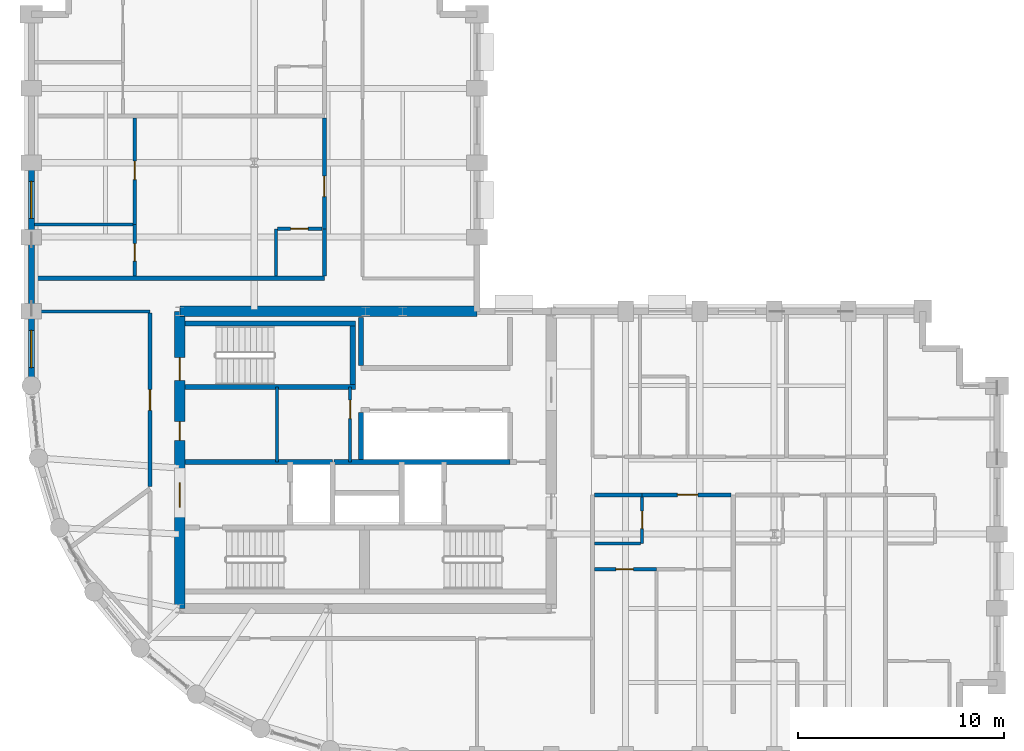
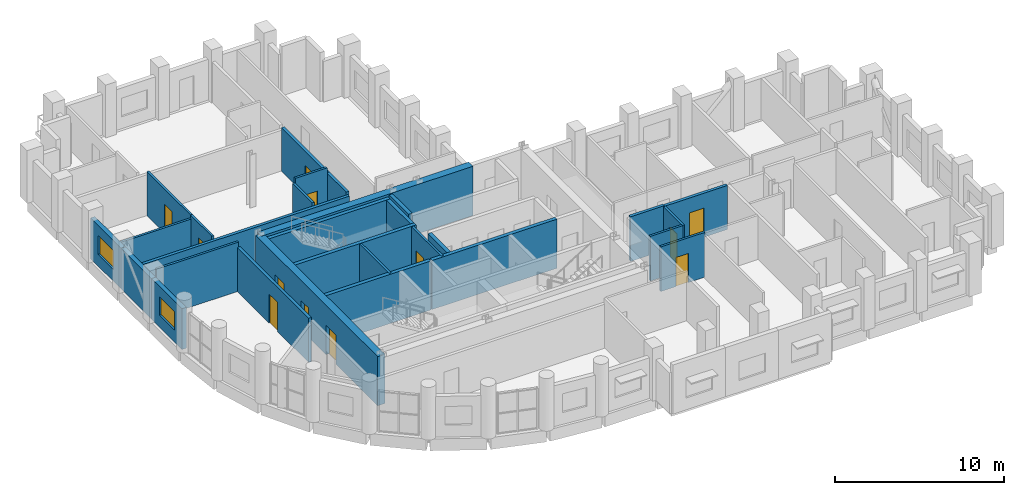
# One storey, part 8 of 14: 29 walls, 12 doors, 2 windows, 14 openings.
"""IFC4 building model written with IfcOpenShell, lengths in metres."""

from ifc_helpers import new_model, si_unit, direction, frame, frame_2d, origin, place, context, subcontext, project, spatial, rectangle, extrude, material, layer, layer_set, type_object, element, fill, save


model = new_model("IFC4")

# Units and contexts
model_context = context("Model", 3, precision=1e-05, world=origin(), true_north=direction((0.0, 1.0)))
body_context = subcontext(model_context, "Body", "Model", "MODEL_VIEW")
ifc_project = project(units=[si_unit("LENGTHUNIT", "METRE"), si_unit("AREAUNIT", "SQUARE_METRE"), si_unit("VOLUMEUNIT", "CUBIC_METRE"), si_unit("PLANEANGLEUNIT", "RADIAN"), si_unit("MASSUNIT", "GRAM", prefix="KILO")], contexts=[model_context])

# Site, building, storey
site_placement = place(None, origin())
site = spatial("IfcSite", under=ifc_project, at=site_placement, CompositionType="ELEMENT")
building_placement = place(site_placement, origin())
building = spatial("IfcBuilding", under=site, at=building_placement, Name="Solnavia Interchange Tower", CompositionType="ELEMENT")
storey_placement = place(building_placement, frame((0.0, 0.0, 135.199951171875)))
storey = spatial("IfcBuildingStorey", under=building, at=storey_placement, Name="L33", CompositionType="ELEMENT", Elevation=135.199951171875)

# Wall, opening, door
ifc_material_1 = material(Name="Gypsum Acoustic Twin-Stud & Mineral Wool", Category="gypsum")
ifc_layer_1 = layer(ifc_material_1, 0.199951171875)
ifc_layer_set_1 = layer_set([ifc_layer_1], Name="Gypsum Acoustic Twin-Stud & Mineral Wool")
wall_type_1 = type_object("IfcWallType", Name="Wall-ApartmentParty-200", PredefinedType="PARTITIONING", material=ifc_layer_set_1)
wall_1_placement = place(storey_placement, frame((12.949951171875, 16.7041015625, 0.0), z_axis=(0.0, 0.0, 1.0), x_axis=(0.0, 1.0, 0.0)))
wall_1 = element("IfcWall", 1, at=wall_1_placement, inside=storey, type_object=wall_type_1, Name="PTW-L33-11 Interior partition wall", PredefinedType="PARTITIONING", context=body_context, shape_type="SweptSolid", body=[
    extrude(rectangle(XDim=8.4169921875, YDim=0.199951171875, at=frame_2d((4.20849609375, 0.0))), origin(), (0.0, 0.0, 1.0), 3.179931640625),
])
opening_1_placement = place(wall_1_placement, frame((3.696044921875, 0.0, 0.0)))
opening_1 = element("IfcOpeningElement", 2, at=opening_1_placement, cuts=wall_1, Name="Opening DR-07", PredefinedType="OPENING", context=body_context, shape_type="SweptSolid", body=[
    extrude(rectangle(XDim=1.0, YDim=2.10009765625, at=frame_2d((0.5, 1.050048828125))), frame((0.0, 0.10986328125, 0.0), z_axis=(0.0, -1.0, 0.0), x_axis=(1.0, 0.0, 0.0)), (0.0, 0.0, 1.0), 0.219970703125),
])
ifc_material_2 = material(Name="Timber & Acoustic Glazed Office Door", Category="wood")
door_type_1 = type_object("IfcDoorType", Name="Door-Office-1000x2100", OperationType="SINGLE_SWING_RIGHT", PredefinedType="DOOR", material=ifc_material_2)
door_1_placement = place(opening_1_placement, origin())
door_1 = element("IfcDoor", 3, at=door_1_placement, inside=storey, type_object=door_type_1, Name="DR-L33-03 Interior room door", OperationType="SINGLE_SWING_LEFT", OverallHeight=2.10009765625, OverallWidth=1.0, PredefinedType="DOOR", context=body_context, shape_type="SweptSolid", body=[
    extrude(rectangle(XDim=1.0, YDim=2.10009765625, at=frame_2d((0.5, 1.050048828125))), frame((0.0, 0.02490234375, 0.0), z_axis=(0.0, -1.0, 0.0), x_axis=(1.0, 0.0, 0.0)), (0.0, 0.0, 1.0), 0.050048828125),
])
fill(opening_1, door_1)

# Wall
wall_2_placement = place(storey_placement, frame((34.50390625, 16.300048828125, 0.0), z_axis=(0.0, 0.0, 1.0), x_axis=(1.0, 0.0, 0.0)))
element("IfcWall", 4, at=wall_2_placement, inside=storey, type_object=wall_type_1, Name="PTW-L33-17 Interior partition wall", PredefinedType="PARTITIONING", context=body_context, shape_type="SweptSolid", body=[
    extrude(rectangle(XDim=2.296142578125, YDim=0.199951171875, at=frame_2d((1.14794921875, 0.0))), origin(), (0.0, 0.0, 1.0), 3.219970703125),
])

# Wall, opening, door
wall_3_placement = place(storey_placement, frame((36.800048828125, 16.300048828125, 0.0), z_axis=(0.0, 0.0, 1.0), x_axis=(1.0, 0.0, 0.0)))
wall_3 = element("IfcWall", 5, at=wall_3_placement, inside=storey, type_object=wall_type_1, Name="PTW-L33-20 Interior partition wall", PredefinedType="PARTITIONING", context=body_context, shape_type="SweptSolid", body=[
    extrude(rectangle(XDim=4.31591796875, YDim=0.199951171875, at=frame_2d((2.157958984375, 0.0))), origin(), (0.0, 0.0, 1.0), 3.170166015625),
])
opening_2_placement = place(wall_3_placement, frame((1.7099609375, 0.0, 0.0)))
opening_2 = element("IfcOpeningElement", 6, at=opening_2_placement, cuts=wall_3, Name="Opening DR-06", PredefinedType="OPENING", context=body_context, shape_type="SweptSolid", body=[
    extrude(rectangle(XDim=1.0, YDim=2.10009765625, at=frame_2d((0.5, 1.050048828125))), frame((0.0, 0.10986328125, 0.0), z_axis=(0.0, -1.0, 0.0), x_axis=(1.0, 0.0, 0.0)), (0.0, 0.0, 1.0), 0.219970703125),
])
ifc_material_3 = material(Name="Engineered Timber Acoustic Fire Door", Category="wood")
door_type_2 = type_object("IfcDoorType", Name="Door-FlatEntry-1000x2100", OperationType="SINGLE_SWING_LEFT", PredefinedType="DOOR", material=ifc_material_3)
door_2_placement = place(opening_2_placement, origin())
door_2 = element("IfcDoor", 7, at=door_2_placement, inside=storey, type_object=door_type_2, Name="DR-L33-08 Interior room door", OperationType="SINGLE_SWING_LEFT", OverallHeight=2.10009765625, OverallWidth=1.0, PredefinedType="DOOR", context=body_context, shape_type="SweptSolid", body=[
    extrude(rectangle(XDim=1.0, YDim=2.10009765625, at=frame_2d((0.5, 1.050048828125))), frame((0.0, 0.02490234375, 0.0), z_axis=(0.0, -1.0, 0.0), x_axis=(1.0, 0.0, 0.0)), (0.0, 0.0, 1.0), 0.050048828125),
])
fill(opening_2, door_2)

# Walls
wall_4_placement = place(storey_placement, frame((7.35400390625, 26.800048828125, 0.0), z_axis=(0.0, 0.0, 1.0), x_axis=(1.0, 0.0, 0.0)))
element("IfcWall", 8, at=wall_4_placement, inside=storey, type_object=wall_type_1, Name="PTW-L33-44 Interior partition wall", PredefinedType="PARTITIONING", context=body_context, shape_type="SweptSolid", body=[
    extrude(rectangle(XDim=14.0458984375, YDim=0.199951171875, at=frame_2d((7.02294921875, 0.0))), origin(), (0.0, 0.0, 1.0), 2.929931640625),
])
wall_5_placement = place(storey_placement, frame((21.39990234375, 26.904052734375, 0.0), z_axis=(0.0, 0.0, 1.0), x_axis=(0.0, 1.0, 0.0)))
element("IfcWall", 9, at=wall_5_placement, inside=storey, type_object=wall_type_1, Name="PTW-L33-46 Interior partition wall", PredefinedType="PARTITIONING", context=body_context, shape_type="SweptSolid", body=[
    extrude(rectangle(XDim=2.2958984375, YDim=0.199951171875, at=frame_2d((1.14794921875, 0.0))), origin(), (0.0, 0.0, 1.0), 3.130126953125),
])

# Wall, opening, door
wall_6_placement = place(storey_placement, frame((21.39990234375, 29.199951171875, 0.0), z_axis=(0.0, 0.0, 1.0), x_axis=(0.0, 1.0, 0.0)))
wall_6 = element("IfcWall", 10, at=wall_6_placement, inside=storey, type_object=wall_type_1, Name="PTW-L33-49 Interior partition wall", PredefinedType="PARTITIONING", context=body_context, shape_type="SweptSolid", body=[
    extrude(rectangle(XDim=5.365966796875, YDim=0.199951171875, at=frame_2d((2.68310546875, 0.0))), origin(), (0.0, 0.0, 1.0), 3.130126953125),
])
opening_3_placement = place(wall_6_placement, frame((1.556884765625, 0.0, 0.0)))
opening_3 = element("IfcOpeningElement", 11, at=opening_3_placement, cuts=wall_6, Name="Opening DR-06", PredefinedType="OPENING", context=body_context, shape_type="SweptSolid", body=[
    extrude(rectangle(XDim=1.0, YDim=2.10009765625, at=frame_2d((0.5, 1.050048828125))), frame((0.0, 0.10986328125, 0.0), z_axis=(0.0, -1.0, 0.0), x_axis=(1.0, 0.0, 0.0)), (0.0, 0.0, 1.0), 0.219970703125),
])
door_3_placement = place(opening_3_placement, origin())
door_3 = element("IfcDoor", 12, at=door_3_placement, inside=storey, type_object=door_type_2, Name="DR-L33-22 Interior room door", OperationType="SINGLE_SWING_RIGHT", OverallHeight=2.10009765625, OverallWidth=1.0, PredefinedType="DOOR", context=body_context, shape_type="SweptSolid", body=[
    extrude(rectangle(XDim=1.0, YDim=2.10009765625, at=frame_2d((0.5, 1.050048828125))), frame((0.0, 0.02490234375, 0.0), z_axis=(0.0, -1.0, 0.0), x_axis=(1.0, 0.0, 0.0)), (0.0, 0.0, 1.0), 0.050048828125),
])
fill(opening_3, door_3)

# Wall, opening, window
ifc_material_4 = material(Name="Concrete C40/50", Category="concrete")
ifc_layer_2 = layer(ifc_material_4, 0.300048828125)
ifc_layer_set_2 = layer_set([ifc_layer_2], Name="Concrete C40/50")
wall_type_2 = type_object("IfcWallType", Name="Wall-ExtSpandrel-300", PredefinedType="STANDARD", material=ifc_layer_set_2)
wall_7_placement = place(storey_placement, frame((7.199951171875, 28.800048828125, 0.0), z_axis=(0.0, 0.0, 1.0), x_axis=(0.0, 1.0, 0.0)))
wall_7 = element("IfcWall", 13, at=wall_7_placement, inside=storey, type_object=wall_type_2, Name="EXW-L33-46 Exterior precast spandrel wall", PredefinedType="STANDARD", context=body_context, shape_type="SweptSolid", body=[
    extrude(rectangle(XDim=3.599853515625, YDim=0.300048828125, at=frame_2d((1.7998046875, 0.0))), origin(), (0.0, 0.0, 1.0), 2.929931640625),
])
opening_4_placement = place(wall_7_placement, frame((0.89990234375, 0.0, 0.85009765625)))
opening_4 = element("IfcOpeningElement", 14, at=opening_4_placement, cuts=wall_7, Name="Opening WIN-02", PredefinedType="OPENING", context=body_context, shape_type="SweptSolid", body=[
    extrude(rectangle(XDim=1.800048828125, YDim=1.35009765625, at=frame_2d((0.89990234375, 0.675048828125))), frame((0.0, 0.16015625, 0.0), z_axis=(0.0, -1.0, 0.0), x_axis=(1.0, 0.0, 0.0)), (0.0, 0.0, 1.0), 0.320068359375),
])
ifc_material_5 = material(Name="Thermal-Break Aluminium & Low-E Glass", Category="aluminium")
window_type = type_object("IfcWindowType", Name="Window-Ribbon-1800x1350", PartitioningType="SINGLE_PANEL", PredefinedType="WINDOW", material=ifc_material_5)
window_1_placement = place(opening_4_placement, origin())
window_1 = element("IfcWindow", 15, at=window_1_placement, inside=storey, type_object=window_type, Name="WIN-L33-46 Facade ribbon window", OverallHeight=1.35009765625, OverallWidth=1.800048828125, PartitioningType="SINGLE_PANEL", PredefinedType="WINDOW", context=body_context, shape_type="SweptSolid", body=[
    extrude(rectangle(XDim=1.800048828125, YDim=1.35009765625, at=frame_2d((0.89990234375, 0.675048828125))), frame((0.0, 0.030029296875, 0.0), z_axis=(0.0, -1.0, 0.0), x_axis=(1.0, 0.0, 0.0)), (0.0, 0.0, 1.0), 0.06005859375),
])
fill(opening_4, window_1)

# Wall
wall_8_placement = place(storey_placement, frame((7.199951171875, 25.199951171875, 0.0), z_axis=(0.0, 0.0, 1.0), x_axis=(0.0, 1.0, 0.0)))
element("IfcWall", 16, at=wall_8_placement, inside=storey, type_object=wall_type_2, Name="EXW-L33-47 Exterior precast spandrel wall", PredefinedType="STANDARD", context=body_context, shape_type="SweptSolid", body=[
    extrude(rectangle(XDim=3.60009765625, YDim=0.300048828125, at=frame_2d((1.800048828125, 0.0))), origin(), (0.0, 0.0, 1.0), 2.929931640625),
])

# Wall, opening, window
wall_9_placement = place(storey_placement, frame((7.199951171875, 21.60009765625, 0.0), z_axis=(0.0, 0.0, 1.0), x_axis=(0.0, 1.0, 0.0)))
wall_9 = element("IfcWall", 17, at=wall_9_placement, inside=storey, type_object=wall_type_2, Name="EXW-L33-48 Exterior precast spandrel wall", PredefinedType="STANDARD", context=body_context, shape_type="SweptSolid", body=[
    extrude(rectangle(XDim=3.599853515625, YDim=0.300048828125, at=frame_2d((1.7998046875, 0.0))), origin(), (0.0, 0.0, 1.0), 2.929931640625),
])
opening_5_placement = place(wall_9_placement, frame((0.875, 0.0, 0.85009765625)))
opening_5 = element("IfcOpeningElement", 18, at=opening_5_placement, cuts=wall_9, Name="Opening WIN-02", PredefinedType="OPENING", context=body_context, shape_type="SweptSolid", body=[
    extrude(rectangle(XDim=1.800048828125, YDim=1.35009765625, at=frame_2d((0.89990234375, 0.675048828125))), frame((0.0, 0.16015625, 0.0), z_axis=(0.0, -1.0, 0.0), x_axis=(1.0, 0.0, 0.0)), (0.0, 0.0, 1.0), 0.320068359375),
])
window_2_placement = place(opening_5_placement, origin())
window_2 = element("IfcWindow", 19, at=window_2_placement, inside=storey, type_object=window_type, Name="WIN-L33-48 Facade ribbon window", OverallHeight=1.35009765625, OverallWidth=1.800048828125, PartitioningType="SINGLE_PANEL", PredefinedType="WINDOW", context=body_context, shape_type="SweptSolid", body=[
    extrude(rectangle(XDim=1.800048828125, YDim=1.35009765625, at=frame_2d((0.89990234375, 0.675048828125))), frame((0.0, 0.030029296875, 0.0), z_axis=(0.0, -1.0, 0.0), x_axis=(1.0, 0.0, 0.0)), (0.0, 0.0, 1.0), 0.06005859375),
])
fill(opening_5, window_2)

# Wall, opening, door
ifc_material_6 = material(Name="Gypsum Plasterboard & Steel Stud", Category="steel")
ifc_layer_3 = layer(ifc_material_6, 0.14990234375)
ifc_layer_set_3 = layer_set([ifc_layer_3], Name="Gypsum Plasterboard & Steel Stud")
wall_type_3 = type_object("IfcWallType", Name="Wall-Partition-150", PredefinedType="PARTITIONING", material=ifc_layer_set_3)
wall_10_placement = place(storey_placement, frame((22.64990234375, 17.89990234375, 0.0), z_axis=(0.0, 0.0, 1.0), x_axis=(0.0, 1.0, 0.0)))
wall_10 = element("IfcWall", 20, at=wall_10_placement, inside=storey, type_object=wall_type_3, Name="CSW-L33-E Core shaft wall", PredefinedType="PARTITIONING", context=body_context, shape_type="SweptSolid", body=[
    extrude(rectangle(XDim=3.625, YDim=0.14990234375, at=frame_2d((1.8125, 0.0))), origin(), (0.0, 0.0, 1.0), 3.53515625),
])
opening_6_placement = place(wall_10_placement, frame((2.10009765625, 0.0, 0.0)))
opening_6 = element("IfcOpeningElement", 21, at=opening_6_placement, cuts=wall_10, Name="Opening DR-09", PredefinedType="OPENING", context=body_context, shape_type="SweptSolid", body=[
    extrude(rectangle(XDim=0.89990234375, YDim=2.10009765625, at=frame_2d((0.449951171875, 1.050048828125))), frame((0.0, 0.0849609375, 0.0), z_axis=(0.0, -1.0, 0.0), x_axis=(1.0, 0.0, 0.0)), (0.0, 0.0, 1.0), 0.169921875),
])
ifc_material_7 = material(Name="Engineered Oak Veneer Door", Category="wood")
door_type_3 = type_object("IfcDoorType", Name="Door-Internal-900x2100", OperationType="SINGLE_SWING_LEFT", PredefinedType="DOOR", material=ifc_material_7)
door_4_placement = place(opening_6_placement, origin())
door_4 = element("IfcDoor", 22, at=door_4_placement, inside=storey, type_object=door_type_3, Name="DR-L33-CS2 Core fire door", OperationType="SINGLE_SWING_LEFT", OverallHeight=2.10009765625, OverallWidth=0.89990234375, PredefinedType="DOOR", context=body_context, shape_type="SweptSolid", body=[
    extrude(rectangle(XDim=0.89990234375, YDim=2.10009765625, at=frame_2d((0.449951171875, 1.050048828125))), frame((0.0, 0.02490234375, 0.0), z_axis=(0.0, -1.0, 0.0), x_axis=(1.0, 0.0, 0.0)), (0.0, 0.0, 1.0), 0.050048828125),
])
fill(opening_6, door_4)

# Walls
wall_11_placement = place(storey_placement, frame((19.10009765625, 17.89990234375, 0.0), z_axis=(0.0, 0.0, 1.0), x_axis=(0.0, 1.0, 0.0)))
element("IfcWall", 23, at=wall_11_placement, inside=storey, type_object=wall_type_3, Name="CSW-L33-M1 Core shaft wall", PredefinedType="PARTITIONING", context=body_context, shape_type="SweptSolid", body=[
    extrude(rectangle(XDim=3.625, YDim=0.14990234375, at=frame_2d((1.8125, 0.0))), origin(), (0.0, 0.0, 1.0), 3.53515625),
])
wall_12_placement = place(storey_placement, frame((7.35400390625, 25.199951171875, 0.0), z_axis=(0.0, 0.0, 1.0), x_axis=(1.0, 0.0, 0.0)))
element("IfcWall", 24, at=wall_12_placement, inside=storey, type_object=wall_type_3, Name="PTW-L33-07 Interior partition wall", PredefinedType="PARTITIONING", context=body_context, shape_type="SweptSolid", body=[
    extrude(rectangle(XDim=5.595947265625, YDim=0.14990234375, at=frame_2d((2.7978515625, 0.0))), origin(), (0.0, 0.0, 1.0), 3.53515625),
])

# Wall, opening, door
wall_13_placement = place(storey_placement, frame((12.2099609375, 29.39990234375, 0.0), z_axis=(0.0, 0.0, 1.0), x_axis=(0.0, 1.0, 0.0)))
wall_13 = element("IfcWall", 25, at=wall_13_placement, inside=storey, type_object=wall_type_3, Name="PTW-L33-50 Interior partition wall", PredefinedType="PARTITIONING", context=body_context, shape_type="SweptSolid", body=[
    extrude(rectangle(XDim=5.166015625, YDim=0.14990234375, at=frame_2d((2.5830078125, 0.0))), origin(), (0.0, 0.0, 1.0), 3.179931640625),
])
opening_7_placement = place(wall_13_placement, frame((2.18505859375, 0.0, 0.0)))
opening_7 = element("IfcOpeningElement", 26, at=opening_7_placement, cuts=wall_13, Name="Opening DR-09", PredefinedType="OPENING", context=body_context, shape_type="SweptSolid", body=[
    extrude(rectangle(XDim=0.89990234375, YDim=2.10009765625, at=frame_2d((0.449951171875, 1.050048828125))), frame((0.0, 0.0849609375, 0.0), z_axis=(0.0, -1.0, 0.0), x_axis=(1.0, 0.0, 0.0)), (0.0, 0.0, 1.0), 0.169921875),
])
door_5_placement = place(opening_7_placement, origin())
door_5 = element("IfcDoor", 27, at=door_5_placement, inside=storey, type_object=door_type_3, Name="DR-L33-23 Interior room door", OperationType="SINGLE_SWING_LEFT", OverallHeight=2.10009765625, OverallWidth=0.89990234375, PredefinedType="DOOR", context=body_context, shape_type="SweptSolid", body=[
    extrude(rectangle(XDim=0.89990234375, YDim=2.10009765625, at=frame_2d((0.449951171875, 1.050048828125))), frame((0.0, 0.02490234375, 0.0), z_axis=(0.0, -1.0, 0.0), x_axis=(1.0, 0.0, 0.0)), (0.0, 0.0, 1.0), 0.050048828125),
])
fill(opening_7, door_5)

# Walls
ifc_layer_4 = layer(ifc_material_4, 0.25)
ifc_layer_set_4 = layer_set([ifc_layer_4], Name="Concrete C40/50")
wall_type_4 = type_object("IfcWallType", Name="Wall-ShaftCore-250", PredefinedType="SHEAR", material=ifc_layer_set_4)
for number, where, z_axis, x_axis, name in (
    (28, (14.64990234375, 21.52490234375, 0.0), (0.0, 0.0, 1.0), (1.0, 0.0, 0.0), "SHW-L33-ST3S Core shear wall"),
    (29, (14.64990234375, 24.614990234375, 0.0), (0.0, 0.0, 1.0), (1.0, 0.0, 0.0), "SHW-L33-ST3N Core shear wall"),
):
    element("IfcWall", number, at=place(storey_placement, frame(where, z_axis=z_axis, x_axis=x_axis)), inside=storey, type_object=wall_type_4, Name=name, PredefinedType="SHEAR", context=body_context, shape_type="SweptSolid", body=[
        extrude(rectangle(XDim=8.25, YDim=0.25, at=frame_2d((4.125, 0.0))), origin(), (0.0, 0.0, 1.0), 3.550048828125),
    ])
wall_14_placement = place(storey_placement, frame((22.77490234375, 21.64990234375, 0.0), z_axis=(0.0, 0.0, 1.0), x_axis=(0.0, 1.0, 0.0)))
element("IfcWall", 30, at=wall_14_placement, inside=storey, type_object=wall_type_4, Name="SHW-L33-ST3E Core shear wall", PredefinedType="SHEAR", context=body_context, shape_type="SweptSolid", body=[
    extrude(rectangle(XDim=2.840087890625, YDim=0.25, at=frame_2d((1.419921875, 0.0))), origin(), (0.0, 0.0, 1.0), 3.550048828125),
])
ifc_layer_5 = layer(ifc_material_4, 0.25)
ifc_layer_set_5 = layer_set([ifc_layer_5], Name="Concrete C40/50")
wall_type_5 = type_object("IfcWallType", Name="Wall-ShaftPart-250", PredefinedType="PARTITIONING", material=ifc_layer_set_5)
wall_15_placement = place(storey_placement, frame((14.64990234375, 17.89990234375, 0.0), z_axis=(0.0, 0.0, 1.0), x_axis=(1.0, 0.0, 0.0)))
element("IfcWall", 31, at=wall_15_placement, inside=storey, type_object=wall_type_5, Name="SHW-L33-FFLW-N Core shaft wall", PredefinedType="PARTITIONING", context=body_context, shape_type="SweptSolid", body=[
    extrude(rectangle(XDim=7.150146484375, YDim=0.25, at=frame_2d((3.5751953125, 0.0))), origin(), (0.0, 0.0, 1.0), 3.53515625),
])
wall_16_placement = place(storey_placement, frame((21.8798828125, 17.89990234375, 0.0), z_axis=(0.0, 0.0, 1.0), x_axis=(1.0, 0.0, 0.0)))
element("IfcWall", 32, at=wall_16_placement, inside=storey, type_object=wall_type_5, Name="SHW-L33-FFLE-N1 Core shaft wall", PredefinedType="PARTITIONING", context=body_context, shape_type="SweptSolid", body=[
    extrude(rectangle(XDim=8.52001953125, YDim=0.25, at=frame_2d((4.260009765625, 0.0))), origin(), (0.0, 0.0, 1.0), 3.53515625),
])
wall_17_placement = place(storey_placement, frame((23.179931640625, 18.02490234375, 0.0), z_axis=(0.0, 0.0, 1.0), x_axis=(0.0, 1.0, 0.0)))
element("IfcWall", 33, at=wall_17_placement, inside=storey, type_object=wall_type_5, Name="SHW-L33-B2W Core shaft wall", PredefinedType="PARTITIONING", context=body_context, shape_type="SweptSolid", body=[
    extrude(rectangle(XDim=2.27001953125, YDim=0.25, at=frame_2d((1.135009765625, 0.0))), origin(), (0.0, 0.0, 1.0), 3.53515625),
])
wall_18_placement = place(storey_placement, frame((23.179931640625, 22.5849609375, 0.0), z_axis=(0.0, 0.0, 1.0), x_axis=(0.0, 1.0, 0.0)))
element("IfcWall", 34, at=wall_18_placement, inside=storey, type_object=wall_type_5, Name="SHW-L33-B3W Core shaft wall", PredefinedType="PARTITIONING", context=body_context, shape_type="SweptSolid", body=[
    extrude(rectangle(XDim=2.31494140625, YDim=0.25, at=frame_2d((1.157470703125, 0.0))), origin(), (0.0, 0.0, 1.0), 3.53515625),
])
ifc_material_8 = material(Name="Concrete C60/75", Category="concrete")
ifc_layer_6 = layer(ifc_material_8, 0.5)
ifc_layer_set_6 = layer_set([ifc_layer_6], Name="Concrete C60/75")
wall_type_6 = type_object("IfcWallType", Name="Wall-ShearCore-500", PredefinedType="SHEAR", material=ifc_layer_set_6)
wall_19_placement = place(storey_placement, frame((14.39990234375, 25.199951171875, 0.0), z_axis=(0.0, 0.0, 1.0), x_axis=(1.0, 0.0, 0.0)))
element("IfcWall", 35, at=wall_19_placement, inside=storey, type_object=wall_type_6, Name="CRW-L33-N Core shear wall", PredefinedType="SHEAR", context=body_context, shape_type="SweptSolid", body=[
    extrude(rectangle(XDim=14.400146484375, YDim=0.5, at=frame_2d((7.2001953125, 0.0))), origin(), (0.0, 0.0, 1.0), 3.550048828125),
])

# Wall, openings, doors
wall_20_placement = place(storey_placement, frame((14.39990234375, 10.800048828125, 0.0), z_axis=(0.0, 0.0, 1.0), x_axis=(0.0, 1.0, 0.0)))
wall_20 = element("IfcWall", 36, at=wall_20_placement, inside=storey, type_object=wall_type_6, Name="CRW-L33-W Core shear wall", PredefinedType="SHEAR", context=body_context, shape_type="SweptSolid", body=[
    extrude(rectangle(XDim=14.39990234375, YDim=0.5, at=frame_2d((7.199951171875, 0.0))), origin(), (0.0, 0.0, 1.0), 3.550048828125),
])
opening_8_placement = place(wall_20_placement, frame((11.050048828125, 0.0, 0.0)))
opening_8 = element("IfcOpeningElement", 37, at=opening_8_placement, cuts=wall_20, Name="Opening DR-01", PredefinedType="OPENING", context=body_context, shape_type="SweptSolid", body=[
    extrude(rectangle(XDim=1.10009765625, YDim=2.10009765625, at=frame_2d((0.550048828125, 1.050048828125))), frame((0.0, 0.260009765625, 0.0), z_axis=(0.0, -1.0, 0.0), x_axis=(1.0, 0.0, 0.0)), (0.0, 0.0, 1.0), 0.52001953125),
])
opening_9_placement = place(wall_20_placement, frame((4.89990234375, 0.0, 0.0)))
opening_9 = element("IfcOpeningElement", 38, at=opening_9_placement, cuts=wall_20, Name="Opening DR-02", PredefinedType="OPENING", context=body_context, shape_type="SweptSolid", body=[
    extrude(rectangle(XDim=1.199951171875, YDim=2.10009765625, at=frame_2d((0.60009765625, 1.050048828125))), frame((0.0, 0.260009765625, 0.0), z_axis=(0.0, -1.0, 0.0), x_axis=(1.0, 0.0, 0.0)), (0.0, 0.0, 1.0), 0.52001953125),
])
opening_10_placement = place(wall_20_placement, frame((8.14990234375, 0.0, 0.0)))
opening_10 = element("IfcOpeningElement", 39, at=opening_10_placement, cuts=wall_20, Name="Opening DR-09", PredefinedType="OPENING", context=body_context, shape_type="SweptSolid", body=[
    extrude(rectangle(XDim=0.89990234375, YDim=2.10009765625, at=frame_2d((0.449951171875, 1.050048828125))), frame((0.0, 0.260009765625, 0.0), z_axis=(0.0, -1.0, 0.0), x_axis=(1.0, 0.0, 0.0)), (0.0, 0.0, 1.0), 0.52001953125),
])
door_6_placement = place(opening_10_placement, origin())
door_6 = element("IfcDoor", 40, at=door_6_placement, inside=storey, type_object=door_type_3, Name="DR-L33-CS1 Core fire door", OperationType="SINGLE_SWING_RIGHT", OverallHeight=2.10009765625, OverallWidth=0.89990234375, PredefinedType="DOOR", context=body_context, shape_type="SweptSolid", body=[
    extrude(rectangle(XDim=0.89990234375, YDim=2.10009765625, at=frame_2d((0.449951171875, 1.050048828125))), frame((0.0, 0.02490234375, 0.0), z_axis=(0.0, -1.0, 0.0), x_axis=(1.0, 0.0, 0.0)), (0.0, 0.0, 1.0), 0.050048828125),
])
fill(opening_10, door_6)
ifc_material_9 = material(Name="Steel Fire-Rated Vision-Panel Door", Category="steel")
door_type_4 = type_object("IfcDoorType", Name="Door-LobbyFire-1200x2100", OperationType="SINGLE_SWING_RIGHT", PredefinedType="DOOR", material=ifc_material_9)
door_7_placement = place(opening_9_placement, origin())
door_7 = element("IfcDoor", 41, at=door_7_placement, inside=storey, type_object=door_type_4, Name="DR-L33-FFL1W Core fire door", OperationType="SINGLE_SWING_RIGHT", OverallHeight=2.10009765625, OverallWidth=1.199951171875, PredefinedType="DOOR", context=body_context, shape_type="SweptSolid", body=[
    extrude(rectangle(XDim=1.199951171875, YDim=2.10009765625, at=frame_2d((0.60009765625, 1.050048828125))), frame((0.0, 0.02490234375, 0.0), z_axis=(0.0, -1.0, 0.0), x_axis=(1.0, 0.0, 0.0)), (0.0, 0.0, 1.0), 0.050048828125),
])
fill(opening_9, door_7)
ifc_material_10 = material(Name="Steel Fire-Rated Leaf & Frame", Category="steel")
door_type_5 = type_object("IfcDoorType", Name="Door-StairFire-1100x2100", OperationType="SINGLE_SWING_LEFT", PredefinedType="DOOR", material=ifc_material_10)
door_8_placement = place(opening_8_placement, origin())
door_8 = element("IfcDoor", 42, at=door_8_placement, inside=storey, type_object=door_type_5, Name="DR-L33-ST3 Core fire door", OperationType="SINGLE_SWING_RIGHT", OverallHeight=2.10009765625, OverallWidth=1.10009765625, PredefinedType="DOOR", context=body_context, shape_type="SweptSolid", body=[
    extrude(rectangle(XDim=1.10009765625, YDim=2.10009765625, at=frame_2d((0.550048828125, 1.050048828125))), frame((0.0, 0.02490234375, 0.0), z_axis=(0.0, -1.0, 0.0), x_axis=(1.0, 0.0, 0.0)), (0.0, 0.0, 1.0), 0.050048828125),
])
fill(opening_8, door_8)

# Wall, opening, door
ifc_material_11 = material(Name="Moisture-Resistant Gypsum & Steel Stud", Category="steel")
ifc_layer_7 = layer(ifc_material_11, 0.14990234375)
ifc_layer_set_7 = layer_set([ifc_layer_7], Name="Moisture-Resistant Gypsum & Steel Stud")
wall_type_7 = type_object("IfcWallType", Name="Wall-WetRoom-150", PredefinedType="PARTITIONING", material=ifc_layer_set_7)
wall_21_placement = place(storey_placement, frame((36.800048828125, 13.949951171875, 0.0), z_axis=(0.0, 0.0, 1.0), x_axis=(0.0, 1.0, 0.0)))
wall_21 = element("IfcWall", 43, at=wall_21_placement, inside=storey, type_object=wall_type_7, Name="PTW-L33-18 Interior partition wall", PredefinedType="PARTITIONING", context=body_context, shape_type="SweptSolid", body=[
    extrude(rectangle(XDim=2.24609375, YDim=0.14990234375, at=frame_2d((1.123046875, 0.0))), origin(), (0.0, 0.0, 1.0), 3.170166015625),
])
opening_11_placement = place(wall_21_placement, frame((0.719970703125, 0.0, 0.0)))
opening_11 = element("IfcOpeningElement", 44, at=opening_11_placement, cuts=wall_21, Name="Opening DR-10", PredefinedType="OPENING", context=body_context, shape_type="SweptSolid", body=[
    extrude(rectangle(XDim=0.85009765625, YDim=2.10009765625, at=frame_2d((0.425048828125, 1.050048828125))), frame((0.0, 0.0849609375, 0.0), z_axis=(0.0, -1.0, 0.0), x_axis=(1.0, 0.0, 0.0)), (0.0, 0.0, 1.0), 0.169921875),
])
ifc_material_12 = material(Name="Moisture-Resistant Timber Door", Category="wood")
door_type_6 = type_object("IfcDoorType", Name="Door-Bathroom-850x2100", OperationType="SINGLE_SWING_RIGHT", PredefinedType="DOOR", material=ifc_material_12)
door_9_placement = place(opening_11_placement, origin())
door_9 = element("IfcDoor", 45, at=door_9_placement, inside=storey, type_object=door_type_6, Name="DR-L33-07 Interior room door", OperationType="SINGLE_SWING_RIGHT", OverallHeight=2.10009765625, OverallWidth=0.85009765625, PredefinedType="DOOR", context=body_context, shape_type="SweptSolid", body=[
    extrude(rectangle(XDim=0.85009765625, YDim=2.10009765625, at=frame_2d((0.425048828125, 1.050048828125))), frame((0.0, 0.02490234375, 0.0), z_axis=(0.0, -1.0, 0.0), x_axis=(1.0, 0.0, 0.0)), (0.0, 0.0, 1.0), 0.050048828125),
])
fill(opening_11, door_9)

# Wall
wall_22_placement = place(storey_placement, frame((34.50390625, 13.949951171875, 0.0), z_axis=(0.0, 0.0, 1.0), x_axis=(1.0, 0.0, 0.0)))
element("IfcWall", 46, at=wall_22_placement, inside=storey, type_object=wall_type_7, Name="PTW-L33-19 Interior partition wall", PredefinedType="PARTITIONING", context=body_context, shape_type="SweptSolid", body=[
    extrude(rectangle(XDim=2.217041015625, YDim=0.14990234375, at=frame_2d((1.1083984375, 0.0))), origin(), (0.0, 0.0, 1.0), 3.219970703125),
])

# Wall, opening, door
wall_23_placement = place(storey_placement, frame((34.50390625, 12.699951171875, 0.0), z_axis=(0.0, 0.0, 1.0), x_axis=(1.0, 0.0, 0.0)))
wall_23 = element("IfcWall", 47, at=wall_23_placement, inside=storey, type_object=wall_type_7, Name="PTW-L33-22 Interior partition wall", PredefinedType="PARTITIONING", context=body_context, shape_type="SweptSolid", body=[
    extrude(rectangle(XDim=2.99609375, YDim=0.14990234375, at=frame_2d((1.498046875, 0.0))), origin(), (0.0, 0.0, 1.0), 3.219970703125),
])
opening_12_placement = place(wall_23_placement, frame((1.02099609375, 0.0, 0.0)))
opening_12 = element("IfcOpeningElement", 48, at=opening_12_placement, cuts=wall_23, Name="Opening DR-10", PredefinedType="OPENING", context=body_context, shape_type="SweptSolid", body=[
    extrude(rectangle(XDim=0.85009765625, YDim=2.10009765625, at=frame_2d((0.425048828125, 1.050048828125))), frame((0.0, 0.0849609375, 0.0), z_axis=(0.0, -1.0, 0.0), x_axis=(1.0, 0.0, 0.0)), (0.0, 0.0, 1.0), 0.169921875),
])
door_10_placement = place(opening_12_placement, origin())
door_10 = element("IfcDoor", 49, at=door_10_placement, inside=storey, type_object=door_type_6, Name="DR-L33-10 Interior room door", OperationType="SINGLE_SWING_LEFT", OverallHeight=2.10009765625, OverallWidth=0.85009765625, PredefinedType="DOOR", context=body_context, shape_type="SweptSolid", body=[
    extrude(rectangle(XDim=0.85009765625, YDim=2.10009765625, at=frame_2d((0.425048828125, 1.050048828125))), frame((0.0, 0.02490234375, 0.0), z_axis=(0.0, -1.0, 0.0), x_axis=(1.0, 0.0, 0.0)), (0.0, 0.0, 1.0), 0.050048828125),
])
fill(opening_12, door_10)

# Wall
wall_24_placement = place(storey_placement, frame((19.050048828125, 26.904052734375, 0.0), z_axis=(0.0, 0.0, 1.0), x_axis=(0.0, 1.0, 0.0)))
element("IfcWall", 50, at=wall_24_placement, inside=storey, type_object=wall_type_7, Name="PTW-L33-47 Interior partition wall", PredefinedType="PARTITIONING", context=body_context, shape_type="SweptSolid", body=[
    extrude(rectangle(XDim=2.2958984375, YDim=0.14990234375, at=frame_2d((1.14794921875, 0.0))), origin(), (0.0, 0.0, 1.0), 3.170166015625),
])

# Wall, opening, door
wall_25_placement = place(storey_placement, frame((19.12890625, 29.199951171875, 0.0), z_axis=(0.0, 0.0, 1.0), x_axis=(1.0, 0.0, 0.0)))
wall_25 = element("IfcWall", 51, at=wall_25_placement, inside=storey, type_object=wall_type_7, Name="PTW-L33-48 Interior partition wall", PredefinedType="PARTITIONING", context=body_context, shape_type="SweptSolid", body=[
    extrude(rectangle(XDim=2.1669921875, YDim=0.14990234375, at=frame_2d((1.08349609375, 0.0))), origin(), (0.0, 0.0, 1.0), 3.53515625),
])
opening_13_placement = place(wall_25_placement, frame((0.64111328125, 0.0, 0.0)))
opening_13 = element("IfcOpeningElement", 52, at=opening_13_placement, cuts=wall_25, Name="Opening DR-10", PredefinedType="OPENING", context=body_context, shape_type="SweptSolid", body=[
    extrude(rectangle(XDim=0.85009765625, YDim=2.10009765625, at=frame_2d((0.425048828125, 1.050048828125))), frame((0.0, 0.0849609375, 0.0), z_axis=(0.0, -1.0, 0.0), x_axis=(1.0, 0.0, 0.0)), (0.0, 0.0, 1.0), 0.169921875),
])
door_11_placement = place(opening_13_placement, origin())
door_11 = element("IfcDoor", 53, at=door_11_placement, inside=storey, type_object=door_type_6, Name="DR-L33-21 Interior room door", OperationType="SINGLE_SWING_RIGHT", OverallHeight=2.10009765625, OverallWidth=0.85009765625, PredefinedType="DOOR", context=body_context, shape_type="SweptSolid", body=[
    extrude(rectangle(XDim=0.85009765625, YDim=2.10009765625, at=frame_2d((0.425048828125, 1.050048828125))), frame((0.0, 0.02490234375, 0.0), z_axis=(0.0, -1.0, 0.0), x_axis=(1.0, 0.0, 0.0)), (0.0, 0.0, 1.0), 0.050048828125),
])
fill(opening_13, door_11)

wall_26_placement = place(storey_placement, frame((12.2099609375, 26.904052734375, 0.0), z_axis=(0.0, 0.0, 1.0), x_axis=(0.0, 1.0, 0.0)))
wall_26 = element("IfcWall", 54, at=wall_26_placement, inside=storey, type_object=wall_type_7, Name="PTW-L33-51 Interior partition wall", PredefinedType="PARTITIONING", context=body_context, shape_type="SweptSolid", body=[
    extrude(rectangle(XDim=2.495849609375, YDim=0.14990234375, at=frame_2d((1.248046875, 0.0))), origin(), (0.0, 0.0, 1.0), 3.170166015625),
])
opening_14_placement = place(wall_26_placement, frame((0.73095703125, 0.0, 0.0)))
opening_14 = element("IfcOpeningElement", 55, at=opening_14_placement, cuts=wall_26, Name="Opening DR-10", PredefinedType="OPENING", context=body_context, shape_type="SweptSolid", body=[
    extrude(rectangle(XDim=0.85009765625, YDim=2.10009765625, at=frame_2d((0.425048828125, 1.050048828125))), frame((0.0, 0.0849609375, 0.0), z_axis=(0.0, -1.0, 0.0), x_axis=(1.0, 0.0, 0.0)), (0.0, 0.0, 1.0), 0.169921875),
])
door_12_placement = place(opening_14_placement, origin())
door_12 = element("IfcDoor", 56, at=door_12_placement, inside=storey, type_object=door_type_6, Name="DR-L33-24 Interior room door", OperationType="SINGLE_SWING_RIGHT", OverallHeight=2.10009765625, OverallWidth=0.85009765625, PredefinedType="DOOR", context=body_context, shape_type="SweptSolid", body=[
    extrude(rectangle(XDim=0.85009765625, YDim=2.10009765625, at=frame_2d((0.425048828125, 1.050048828125))), frame((0.0, 0.02490234375, 0.0), z_axis=(0.0, -1.0, 0.0), x_axis=(1.0, 0.0, 0.0)), (0.0, 0.0, 1.0), 0.050048828125),
])
fill(opening_14, door_12)

# Wall
wall_27_placement = place(storey_placement, frame((7.35400390625, 29.39990234375, 0.0), z_axis=(0.0, 0.0, 1.0), x_axis=(1.0, 0.0, 0.0)))
element("IfcWall", 57, at=wall_27_placement, inside=storey, type_object=wall_type_7, Name="PTW-L33-52 Interior partition wall", PredefinedType="PARTITIONING", context=body_context, shape_type="SweptSolid", body=[
    extrude(rectangle(XDim=4.777099609375, YDim=0.14990234375, at=frame_2d((2.388671875, 0.0))), origin(), (0.0, 0.0, 1.0), 2.929931640625),
])

save(model, "model.ifc")
